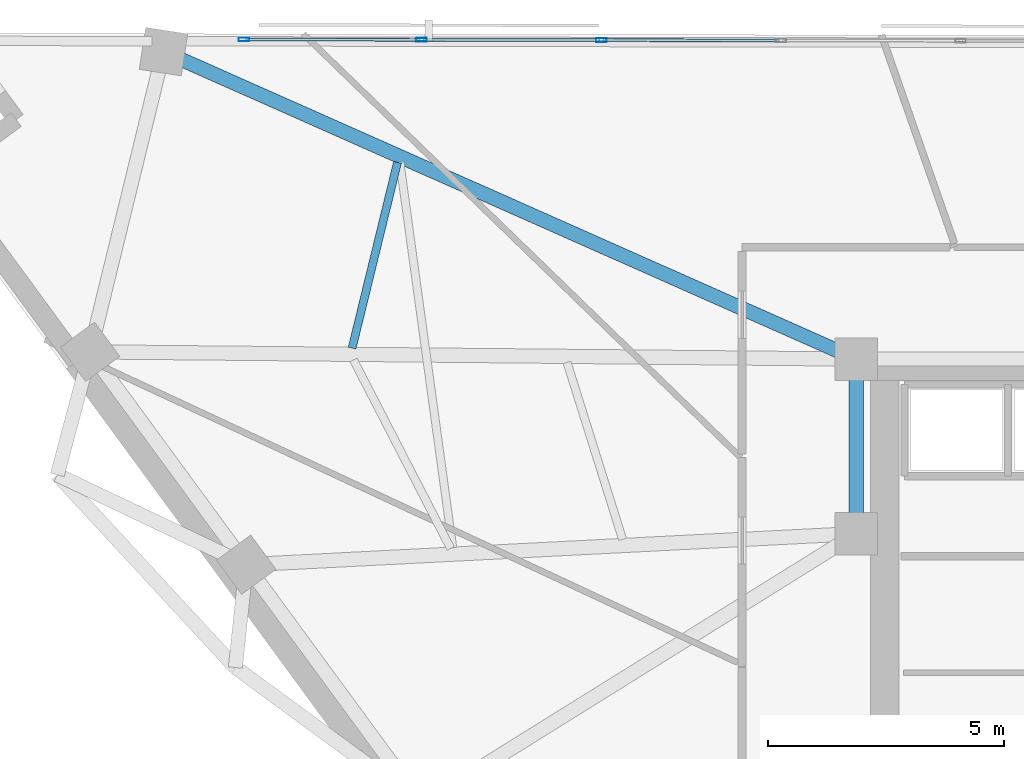
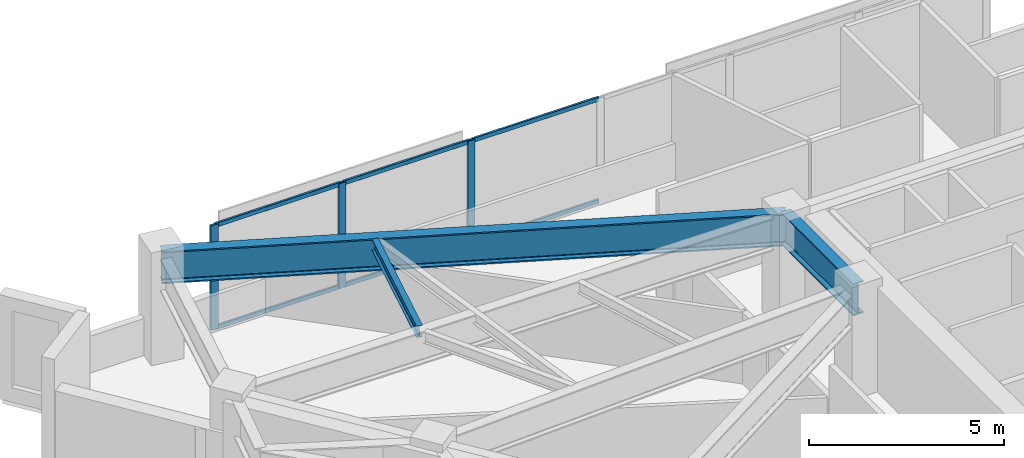
# One storey, part 2 of 14: 9 members, 3 beams, 1 element without a shape of its own.
"""IFC4 building model written with IfcOpenShell, lengths in metres."""

import ifcopenshell
import ifcopenshell.guid

model = None  # the IFC model being written
_history = None  # IfcOwnerHistory: only IFC2X3 demands one
_inside = {}  # id of a spatial element -> (the spatial element, [elements in it])
_under = {}  # id of a project, library or spatial element -> (it, [spatial elements below it])
_declared = {}  # id of a project -> (the project, [libraries it declares])
_typed = {}  # id of a type object -> (the type object, [elements of that type])
_made_of = {}  # id of a material, layer set ... -> (it, [elements and type objects made of it])


def new_model(schema):
    """Start an empty IFC model of exactly this schema.

    Asked for "IFC4X3", IfcOpenShell would pick the latest addendum, in which some entities
    have other attributes; the version numbers below select the first issue.
    IFC2X3 requires an IfcOwnerHistory on every rooted entity: one is made here for all.
    """
    global model, _history
    if schema == "IFC4X3":
        model = ifcopenshell.file(schema_version=(4, 3, 0, 0))
    else:
        model = ifcopenshell.file(schema=schema)
    _inside.clear()
    _under.clear()
    _declared.clear()
    _typed.clear()
    _made_of.clear()
    _history = None
    if model.schema == "IFC2X3":
        org = make("IfcOrganization", Name="unknown")
        user = make(
            "IfcPersonAndOrganization",
            ThePerson=make("IfcPerson", FamilyName="unknown"),
            TheOrganization=org,
        )
        app = make(
            "IfcApplication",
            ApplicationDeveloper=org,
            Version="unknown",
            ApplicationFullName="unknown",
            ApplicationIdentifier="unknown",
        )
        _history = make(
            "IfcOwnerHistory",
            OwningUser=user,
            OwningApplication=app,
            ChangeAction="ADDED",
            CreationDate=0,
        )
    return model


def make(cls, **values):
    """One entity of the class cls with the attributes given. An attribute that is None is left unset."""
    return model.create_entity(
        cls, **{name: value for name, value in values.items() if value is not None}
    )


def rooted(cls, **values):
    """An entity with a GlobalId (a new one), such as an element, a storey or a relation."""
    return make(cls, GlobalId=ifcopenshell.guid.new(), OwnerHistory=_history, **values)


def si_unit(unit_type, name, prefix=None):
    """IfcSIUnit, for example si_unit("LENGTHUNIT", "METRE", prefix="MILLI")."""
    return make("IfcSIUnit", UnitType=unit_type, Prefix=prefix, Name=name)


def assignment(units):
    """IfcUnitAssignment: the units of a project."""
    return None if units is None else make("IfcUnitAssignment", Units=units)


def point(xyz):
    """IfcCartesianPoint."""
    return None if xyz is None else make("IfcCartesianPoint", Coordinates=xyz)


def direction(xyz):
    """IfcDirection."""
    return None if xyz is None else make("IfcDirection", DirectionRatios=xyz)


def frame(location, z_axis=None, x_axis=None):
    """IfcAxis2Placement3D, a coordinate frame: its origin and axes. An axis left out is left unset."""
    return make(
        "IfcAxis2Placement3D",
        Location=point(location),
        Axis=direction(z_axis),
        RefDirection=direction(x_axis),
    )


def frame_2d(location, x_axis=None):
    """IfcAxis2Placement2D, a coordinate frame in the plane: its origin and x axis."""
    return make(
        "IfcAxis2Placement2D", Location=point(location), RefDirection=direction(x_axis)
    )


def origin():
    """The frame at (0, 0, 0) with its axes left unset."""
    return frame((0.0, 0.0, 0.0))


def origin_2d():
    """The frame at (0, 0) in the plane with its x axis left unset."""
    return frame_2d((0.0, 0.0))


def place(relative_to, where):
    """IfcLocalPlacement: puts the frame where relative to a parent placement (None: the world)."""
    return make(
        "IfcLocalPlacement", PlacementRelTo=relative_to, RelativePlacement=where
    )


def context(
    kind, dimensions, precision=None, world=None, true_north=None, identifier=None
):
    """IfcGeometricRepresentationContext, for example the 3D "Model" context."""
    return make(
        "IfcGeometricRepresentationContext",
        ContextIdentifier=identifier,
        ContextType=kind,
        CoordinateSpaceDimension=dimensions,
        Precision=precision,
        WorldCoordinateSystem=world,
        TrueNorth=true_north,
    )


def subcontext(parent, identifier, kind, view, scale=None):
    """IfcGeometricRepresentationSubContext, for example "Body" below "Model"."""
    return make(
        "IfcGeometricRepresentationSubContext",
        ContextIdentifier=identifier,
        ContextType=kind,
        ParentContext=parent,
        TargetScale=scale,
        TargetView=view,
    )


def project(units=None, contexts=None):
    """IfcProject with its units and contexts."""
    return rooted(
        "IfcProject",
        Name="project",
        RepresentationContexts=contexts,
        UnitsInContext=assignment(units),
    )


def spatial(cls, under=None, at=None, **own):
    """A site, building, storey or space (cls), placed at a placement, below another one or the project."""
    s = rooted(cls, ObjectPlacement=at, **own)
    if under is not None:
        _under.setdefault(under.id(), (under, []))[1].append(s)
    return s


def profile(cls, at=None, kind="AREA", **sizes):
    """A parametric profile (cls). Its sizes go by their IFC names, for example OverallWidth=200.0."""
    return make(cls, ProfileType=kind, Position=at, **sizes)


def hollow_rectangle(**sizes):
    """IfcRectangleHollowProfileDef."""
    return profile("IfcRectangleHollowProfileDef", **sizes)


def i_section(**sizes):
    """IfcIShapeProfileDef."""
    return profile("IfcIShapeProfileDef", **sizes)


def extrude(swept, where, along, depth):
    """IfcExtrudedAreaSolid: the profile swept, set in the frame where, extruded along a direction by depth."""
    return make(
        "IfcExtrudedAreaSolid",
        SweptArea=swept,
        Position=where,
        ExtrudedDirection=direction(along),
        Depth=depth,
    )


def shape(context_of_items, identifier, shape_type, items):
    """IfcShapeRepresentation: the items that make up one representation, for example the "Body"."""
    return make(
        "IfcShapeRepresentation",
        ContextOfItems=context_of_items,
        RepresentationIdentifier=identifier,
        RepresentationType=shape_type,
        Items=items,
    )


def material(Name=None, Category=None):
    """IfcMaterial."""
    return make("IfcMaterial", Name=Name, Category=Category)


def material_profile(
    of_material, cross_section, Name=None, Category=None, Priority=None
):
    """IfcMaterialProfile: a cross section and its material."""
    return make(
        "IfcMaterialProfile",
        Name=Name,
        Material=of_material,
        Profile=cross_section,
        Priority=Priority,
        Category=Category,
    )


def profile_set(profiles, Name=None, composite=None):
    """IfcMaterialProfileSet."""
    return make(
        "IfcMaterialProfileSet",
        Name=Name,
        MaterialProfiles=profiles,
        CompositeProfile=composite,
    )


def made_of(thing, what):
    """Note that an element or type object is made of a material, layer set ...; save() writes the relation."""
    if what is not None:
        _made_of.setdefault(what.id(), (what, []))[1].append(thing)
    return thing


def type_object(cls, material=None, **own):
    """A type object (cls), such as IfcWallType, which elements share."""
    return made_of(rooted(cls, **own), material)


def element(
    cls,
    number,
    at=None,
    inside=None,
    cuts=None,
    type_object=None,
    material=None,
    context=None,
    identifier="Body",
    shape_type=None,
    held_by="IfcProductDefinitionShape",
    body=None,
    shapes=None,
    **own,
):
    """One element of the class cls, such as IfcWall. Its Tag is "e" and its number.

    at: its placement. inside: the storey or other place that contains it. cuts: it is an
    opening in that element (IfcRelVoidsElement). A single representation is given by context,
    identifier, shape_type and body (its items); several are given by shapes. held_by: the class
    of the entity that holds the representations. save() writes the other relations.
    """
    e = rooted(cls, Tag="e%d" % number, ObjectPlacement=at, **own)
    if body is not None:
        shapes = [shape(context, identifier, shape_type, body)]
    if shapes is not None:
        e.Representation = make(held_by, Representations=shapes)
    if inside is not None:
        _inside.setdefault(inside.id(), (inside, []))[1].append(e)
    if cuts is not None:
        rooted(
            "IfcRelVoidsElement", RelatingBuildingElement=cuts, RelatedOpeningElement=e
        )
    if type_object is not None:
        _typed.setdefault(type_object.id(), (type_object, []))[1].append(e)
    return made_of(e, material)


def aggregate(whole, parts):
    """IfcRelAggregates: a whole, such as a stair, and the parts it consists of."""
    return rooted("IfcRelAggregates", RelatingObject=whole, RelatedObjects=parts)


def save(model, path):
    """Write the relations noted so far, then the file.

    IfcRelAggregates (storeys below a building ...), IfcRelContainedInSpatialStructure (elements
    in a storey), IfcRelDefinesByType, IfcRelAssociatesMaterial and IfcRelDeclares: one each for
    every whole, place, type object, material and project.
    """
    for whole, parts in _under.values():
        aggregate(whole, parts)
    for where, things in _inside.values():
        rooted(
            "IfcRelContainedInSpatialStructure",
            RelatedElements=things,
            RelatingStructure=where,
        )
    for kind, things in _typed.values():
        rooted("IfcRelDefinesByType", RelatedObjects=things, RelatingType=kind)
    for what, things in _made_of.values():
        rooted("IfcRelAssociatesMaterial", RelatedObjects=things, RelatingMaterial=what)
    for by, libraries in _declared.values():
        rooted("IfcRelDeclares", RelatingContext=by, RelatedDefinitions=libraries)
    model.write(path)


model = new_model("IFC4")

# Units and contexts
model_context = context("Model", 3, precision=1e-05, world=origin(), true_north=direction((0.0, 1.0)))
body_context = subcontext(model_context, "Body", "Model", "MODEL_VIEW")
ifc_project = project(units=[si_unit("LENGTHUNIT", "METRE"), si_unit("AREAUNIT", "SQUARE_METRE"), si_unit("VOLUMEUNIT", "CUBIC_METRE"), si_unit("PLANEANGLEUNIT", "RADIAN"), si_unit("MASSUNIT", "GRAM", prefix="KILO")], contexts=[model_context])

# Site, building, storey
site_placement = place(None, origin())
site = spatial("IfcSite", under=ifc_project, at=site_placement, CompositionType="ELEMENT")
building_placement = place(site_placement, origin())
building = spatial("IfcBuilding", under=site, at=building_placement, Name="Narakoshi Arena Tower", CompositionType="ELEMENT")
storey_placement = place(building_placement, frame((0.0, 0.0, 260.739990234375)))
storey = spatial("IfcBuildingStorey", under=building, at=storey_placement, Name="L71", CompositionType="ELEMENT", Elevation=260.739990234375)

# Beams
ifc_material_1 = material(Name="Structural steel S355J2", Category="steel")
ifc_material_profile_1 = material_profile(ifc_material_1, i_section(OverallWidth=0.169921875, OverallDepth=0.360107421875, WebThickness=0.008056640625, FlangeThickness=0.0126953125, FilletRadius=0.01806640625, at=origin_2d()), Name="IPE360")
ifc_profile_set_1 = profile_set([ifc_material_profile_1], Name="Structural steel S355J2")
beam_type_1 = type_object("IfcBeamType", Name="BM-SEC-360", PredefinedType="JOIST", material=ifc_profile_set_1)
beam_1_placement = place(storey_placement, frame((62.27197265625, 60.672607421875, 3.080078125), z_axis=(-0.237419008325, -0.971407337056, 0.0), x_axis=(0.971407337056, -0.237419008325, 0.0)))
element("IfcBeam", 1, at=beam_1_placement, inside=storey, type_object=beam_type_1, Name="L71 Composite Secondary Floor Joist 01", PredefinedType="JOIST", context=body_context, shape_type="SweptSolid", body=[
    extrude(i_section(OverallWidth=0.169921875, OverallDepth=0.360107421875, WebThickness=0.008056640625, FlangeThickness=0.0126953125, FilletRadius=0.01806640625, at=origin_2d()), origin(), (0.0, 0.0, 1.0), 4.0556640625),
])
ifc_material_2 = material(Name="Structural steel S460ML", Category="steel")
ifc_material_profile_2 = material_profile(ifc_material_2, i_section(OverallWidth=0.302001953125, OverallDepth=1.008056640625, WebThickness=0.02099609375, FlangeThickness=0.0400390625, FilletRadius=0.030029296875, at=origin_2d()), Name="HE1000M")
ifc_profile_set_2 = profile_set([ifc_material_profile_2], Name="Structural steel S460ML")
beam_type_2 = type_object("IfcBeamType", Name="BM-XFER-1000", PredefinedType="BEAM", material=ifc_profile_set_2)
beam_2_placement = place(storey_placement, frame((72.0, 56.5, 2.756103515625), z_axis=(-0.914014379094, 0.405681790089, 0.0), x_axis=(-0.405681790089, -0.914014379094, 0.0)))
element("IfcBeam", 2, at=beam_2_placement, inside=storey, type_object=beam_type_2, Name="L71 Radial Primary Floor Girder 08", PredefinedType="BEAM", context=body_context, shape_type="SweptSolid", body=[
    extrude(i_section(OverallWidth=0.302001953125, OverallDepth=1.008056640625, WebThickness=0.02099609375, FlangeThickness=0.0400390625, FilletRadius=0.030029296875, at=origin_2d()), origin(), (0.0, 0.0, 1.0), 16.072998046875),
])
beam_3_placement = place(storey_placement, frame((72.0, 52.800048828125, 2.756103515625), z_axis=(0.0, 1.0, 0.0), x_axis=(-1.0, 0.0, 0.0)))
element("IfcBeam", 3, at=beam_3_placement, inside=storey, type_object=beam_type_2, Name="L71 Core Perimeter Frame Beam CC4-CC5", PredefinedType="BEAM", context=body_context, shape_type="SweptSolid", body=[
    extrude(i_section(OverallWidth=0.302001953125, OverallDepth=1.008056640625, WebThickness=0.02099609375, FlangeThickness=0.0400390625, FilletRadius=0.030029296875, at=origin_2d()), origin(), (0.0, 0.0, 1.0), 3.699951171875),
])

# Curtain wall, members
ifc_material_3 = material(Name="Anodised bronze aluminium 6063-T6", Category="aluminium")
curtain_wall_type = type_object("IfcCurtainWallType", Name="CW-HYP-HIGH", PredefinedType="NOTDEFINED", material=ifc_material_3)
curtain_wall_placement = place(storey_placement, origin())
curtain_wall = element("IfcCurtainWall", 4, at=curtain_wall_placement, inside=storey, type_object=curtain_wall_type, Name="L71 Folded Hypotenuse Curtain Wall 2-1", PredefinedType="NOTDEFINED")
ifc_material_profile_3 = material_profile(ifc_material_3, hollow_rectangle(XDim=0.080078125, YDim=0.219970703125, WallThickness=0.0048828125, OuterFilletRadius=0.006103515625, at=origin_2d()), Name="MUL220x80x5")
ifc_profile_set_3 = profile_set([ifc_material_profile_3], Name="Anodised bronze aluminium 6063-T6")
member_type_1 = type_object("IfcMemberType", Name="MEM-MUL-220", PredefinedType="MULLION", material=ifc_profile_set_3)
member_1_placement = place(storey_placement, frame((66.59326171875, 63.263671875, 0.0), z_axis=(0.0, 0.0, 1.0), x_axis=(-0.001819896899, -0.999998343986, 0.0)))
member_1 = element("IfcMember", 5, at=member_1_placement, type_object=member_type_1, Name="CW-03 mullion 5", PredefinedType="MULLION", context=body_context, shape_type="SweptSolid", body=[
    extrude(hollow_rectangle(XDim=0.080078125, YDim=0.219970703125, WallThickness=0.0048828125, OuterFilletRadius=0.006103515625, at=origin_2d()), origin(), (0.0, 0.0, 1.0), 3.260009765625),
])
member_2_placement = place(storey_placement, frame((62.78369140625, 63.270751953125, 0.0), z_axis=(0.0, 0.0, 1.0), x_axis=(-0.001819896899, -0.999998343986, 0.0)))
member_2 = element("IfcMember", 6, at=member_2_placement, type_object=member_type_1, Name="CW-03 mullion 6", PredefinedType="MULLION", context=body_context, shape_type="SweptSolid", body=[
    extrude(hollow_rectangle(XDim=0.080078125, YDim=0.219970703125, WallThickness=0.0048828125, OuterFilletRadius=0.006103515625, at=origin_2d()), origin(), (0.0, 0.0, 1.0), 3.260009765625),
])
member_3_placement = place(storey_placement, frame((59.013916015625, 63.277587890625, 0.0), z_axis=(0.0, 0.0, 1.0), x_axis=(-0.001819896899, -0.999998343986, 0.0)))
member_3 = element("IfcMember", 7, at=member_3_placement, type_object=member_type_1, Name="CW-03 mullion 7", PredefinedType="MULLION", context=body_context, shape_type="SweptSolid", body=[
    extrude(hollow_rectangle(XDim=0.080078125, YDim=0.219970703125, WallThickness=0.0048828125, OuterFilletRadius=0.006103515625, at=origin_2d()), origin(), (0.0, 0.0, 1.0), 3.260009765625),
])
ifc_material_profile_4 = material_profile(ifc_material_3, hollow_rectangle(XDim=0.06494140625, YDim=0.1298828125, WallThickness=0.00390625, OuterFilletRadius=0.0048828125, at=origin_2d()), Name="TRN130x65x4")
ifc_profile_set_4 = profile_set([ifc_material_profile_4], Name="Anodised bronze aluminium 6063-T6")
member_type_2 = type_object("IfcMemberType", Name="MEM-TRN-130", PredefinedType="USERDEFINED", material=ifc_profile_set_4)
member_4_placement = place(storey_placement, frame((70.363037109375, 63.2568359375, 0.032470703125), z_axis=(-0.999998320389, 0.001832817502, 0.0), x_axis=(-0.001832817502, -0.999998320389, 0.0)))
member_4 = element("IfcMember", 8, at=member_4_placement, type_object=member_type_2, Name="CW-03 transom 4.1", ObjectType="TRANSOM", PredefinedType="USERDEFINED", context=body_context, shape_type="SweptSolid", body=[
    extrude(hollow_rectangle(XDim=0.06494140625, YDim=0.1298828125, WallThickness=0.00390625, OuterFilletRadius=0.0048828125, at=origin_2d()), origin(), (0.0, 0.0, 1.0), 3.729736328125),
])
member_5_placement = place(storey_placement, frame((70.363037109375, 63.2568359375, 3.2275390625), z_axis=(-0.999998320389, 0.001832817502, 0.0), x_axis=(-0.001832817502, -0.999998320389, 0.0)))
member_5 = element("IfcMember", 9, at=member_5_placement, type_object=member_type_2, Name="CW-03 transom 4.2", ObjectType="TRANSOM", PredefinedType="USERDEFINED", context=body_context, shape_type="SweptSolid", body=[
    extrude(hollow_rectangle(XDim=0.06494140625, YDim=0.1298828125, WallThickness=0.00390625, OuterFilletRadius=0.0048828125, at=origin_2d()), origin(), (0.0, 0.0, 1.0), 3.729736328125),
])
member_6_placement = place(storey_placement, frame((66.553466796875, 63.263916015625, 0.032470703125), z_axis=(-0.999998438218, 0.001767359942, 0.0), x_axis=(-0.001767359942, -0.999998438218, 0.0)))
member_6 = element("IfcMember", 10, at=member_6_placement, type_object=member_type_2, Name="CW-03 transom 5.1", ObjectType="TRANSOM", PredefinedType="USERDEFINED", context=body_context, shape_type="SweptSolid", body=[
    extrude(hollow_rectangle(XDim=0.06494140625, YDim=0.1298828125, WallThickness=0.00390625, OuterFilletRadius=0.0048828125, at=origin_2d()), origin(), (0.0, 0.0, 1.0), 3.729736328125),
])
member_7_placement = place(storey_placement, frame((66.553466796875, 63.263916015625, 3.2275390625), z_axis=(-0.999998438218, 0.001767359942, 0.0), x_axis=(-0.001767359942, -0.999998438218, 0.0)))
member_7 = element("IfcMember", 11, at=member_7_placement, type_object=member_type_2, Name="CW-03 transom 5.2", ObjectType="TRANSOM", PredefinedType="USERDEFINED", context=body_context, shape_type="SweptSolid", body=[
    extrude(hollow_rectangle(XDim=0.06494140625, YDim=0.1298828125, WallThickness=0.00390625, OuterFilletRadius=0.0048828125, at=origin_2d()), origin(), (0.0, 0.0, 1.0), 3.729736328125),
])
member_8_placement = place(storey_placement, frame((62.74365234375, 63.270751953125, 0.032470703125), z_axis=(-0.999998404139, 0.001786538537, 0.0), x_axis=(-0.001786538537, -0.999998404139, 0.0)))
member_8 = element("IfcMember", 12, at=member_8_placement, type_object=member_type_2, Name="CW-03 transom 6.1", ObjectType="TRANSOM", PredefinedType="USERDEFINED", context=body_context, shape_type="SweptSolid", body=[
    extrude(hollow_rectangle(XDim=0.06494140625, YDim=0.1298828125, WallThickness=0.00390625, OuterFilletRadius=0.0048828125, at=origin_2d()), origin(), (0.0, 0.0, 1.0), 3.689697265625),
])
member_9_placement = place(storey_placement, frame((62.74365234375, 63.270751953125, 3.2275390625), z_axis=(-0.999998404139, 0.001786538537, 0.0), x_axis=(-0.001786538537, -0.999998404139, 0.0)))
member_9 = element("IfcMember", 13, at=member_9_placement, type_object=member_type_2, Name="CW-03 transom 6.2", ObjectType="TRANSOM", PredefinedType="USERDEFINED", context=body_context, shape_type="SweptSolid", body=[
    extrude(hollow_rectangle(XDim=0.06494140625, YDim=0.1298828125, WallThickness=0.00390625, OuterFilletRadius=0.0048828125, at=origin_2d()), origin(), (0.0, 0.0, 1.0), 3.689697265625),
])
aggregate(curtain_wall, [member_1, member_2, member_3, member_4, member_5, member_6, member_7, member_8, member_9])

save(model, "model.ifc")
